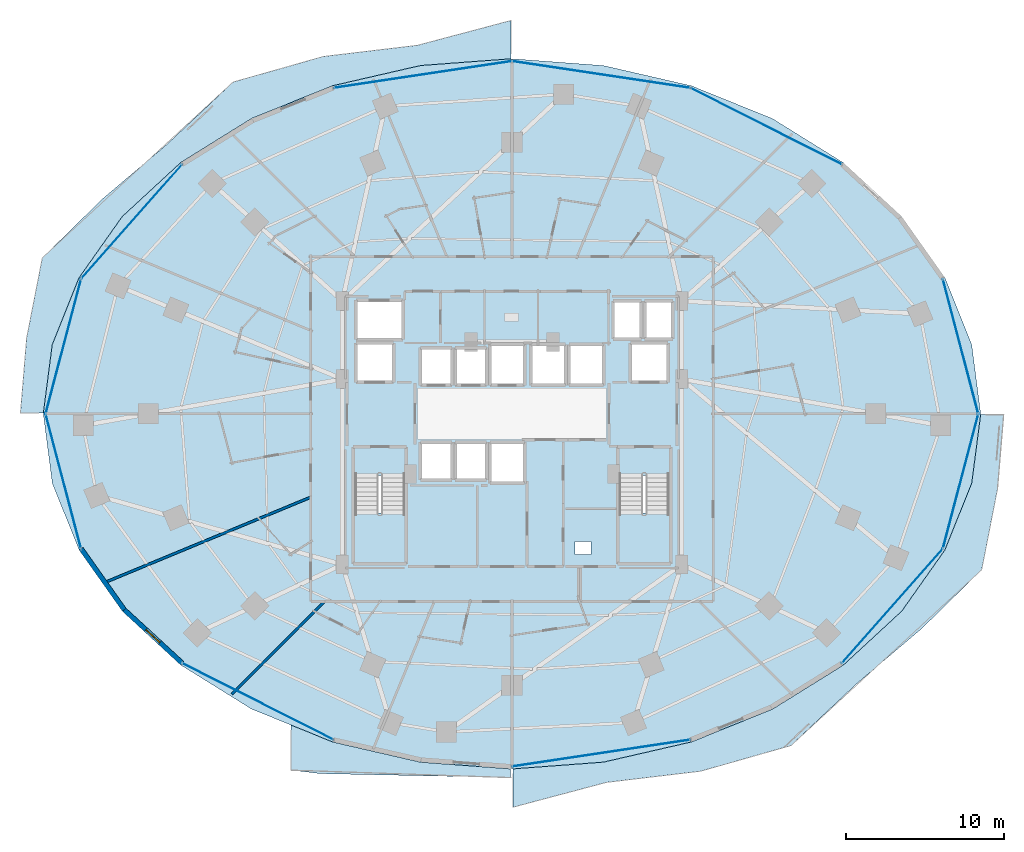
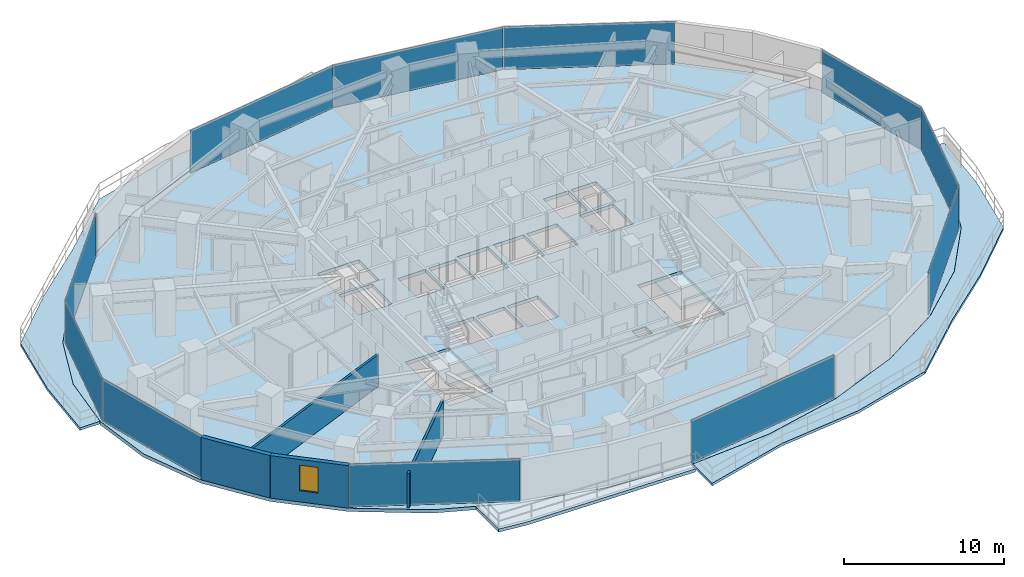
# One storey, part 26 of 36: 11 plates, 6 slabs, 4 walls, 1 window, 1 opening, 7 elements without a shape of their own.
"""IFC4 building model written with IfcOpenShell, lengths in metres."""

import ifcopenshell
import ifcopenshell.guid

model = None  # the IFC model being written
_history = None  # IfcOwnerHistory: only IFC2X3 demands one
_inside = {}  # id of a spatial element -> (the spatial element, [elements in it])
_under = {}  # id of a project, library or spatial element -> (it, [spatial elements below it])
_declared = {}  # id of a project -> (the project, [libraries it declares])
_typed = {}  # id of a type object -> (the type object, [elements of that type])
_made_of = {}  # id of a material, layer set ... -> (it, [elements and type objects made of it])


def new_model(schema):
    """Start an empty IFC model of exactly this schema.

    Asked for "IFC4X3", IfcOpenShell would pick the latest addendum, in which some entities
    have other attributes; the version numbers below select the first issue.
    IFC2X3 requires an IfcOwnerHistory on every rooted entity: one is made here for all.
    """
    global model, _history
    if schema == "IFC4X3":
        model = ifcopenshell.file(schema_version=(4, 3, 0, 0))
    else:
        model = ifcopenshell.file(schema=schema)
    _inside.clear()
    _under.clear()
    _declared.clear()
    _typed.clear()
    _made_of.clear()
    _history = None
    if model.schema == "IFC2X3":
        org = make("IfcOrganization", Name="unknown")
        user = make(
            "IfcPersonAndOrganization",
            ThePerson=make("IfcPerson", FamilyName="unknown"),
            TheOrganization=org,
        )
        app = make(
            "IfcApplication",
            ApplicationDeveloper=org,
            Version="unknown",
            ApplicationFullName="unknown",
            ApplicationIdentifier="unknown",
        )
        _history = make(
            "IfcOwnerHistory",
            OwningUser=user,
            OwningApplication=app,
            ChangeAction="ADDED",
            CreationDate=0,
        )
    return model


def make(cls, **values):
    """One entity of the class cls with the attributes given. An attribute that is None is left unset."""
    return model.create_entity(
        cls, **{name: value for name, value in values.items() if value is not None}
    )


def rooted(cls, **values):
    """An entity with a GlobalId (a new one), such as an element, a storey or a relation."""
    return make(cls, GlobalId=ifcopenshell.guid.new(), OwnerHistory=_history, **values)


def si_unit(unit_type, name, prefix=None):
    """IfcSIUnit, for example si_unit("LENGTHUNIT", "METRE", prefix="MILLI")."""
    return make("IfcSIUnit", UnitType=unit_type, Prefix=prefix, Name=name)


def assignment(units):
    """IfcUnitAssignment: the units of a project."""
    return None if units is None else make("IfcUnitAssignment", Units=units)


def point(xyz):
    """IfcCartesianPoint."""
    return None if xyz is None else make("IfcCartesianPoint", Coordinates=xyz)


def direction(xyz):
    """IfcDirection."""
    return None if xyz is None else make("IfcDirection", DirectionRatios=xyz)


def frame(location, z_axis=None, x_axis=None):
    """IfcAxis2Placement3D, a coordinate frame: its origin and axes. An axis left out is left unset."""
    return make(
        "IfcAxis2Placement3D",
        Location=point(location),
        Axis=direction(z_axis),
        RefDirection=direction(x_axis),
    )


def frame_2d(location, x_axis=None):
    """IfcAxis2Placement2D, a coordinate frame in the plane: its origin and x axis."""
    return make(
        "IfcAxis2Placement2D", Location=point(location), RefDirection=direction(x_axis)
    )


def origin():
    """The frame at (0, 0, 0) with its axes left unset."""
    return frame((0.0, 0.0, 0.0))


def origin_2d():
    """The frame at (0, 0) in the plane with its x axis left unset."""
    return frame_2d((0.0, 0.0))


def place(relative_to, where):
    """IfcLocalPlacement: puts the frame where relative to a parent placement (None: the world)."""
    return make(
        "IfcLocalPlacement", PlacementRelTo=relative_to, RelativePlacement=where
    )


def context(
    kind, dimensions, precision=None, world=None, true_north=None, identifier=None
):
    """IfcGeometricRepresentationContext, for example the 3D "Model" context."""
    return make(
        "IfcGeometricRepresentationContext",
        ContextIdentifier=identifier,
        ContextType=kind,
        CoordinateSpaceDimension=dimensions,
        Precision=precision,
        WorldCoordinateSystem=world,
        TrueNorth=true_north,
    )


def subcontext(parent, identifier, kind, view, scale=None):
    """IfcGeometricRepresentationSubContext, for example "Body" below "Model"."""
    return make(
        "IfcGeometricRepresentationSubContext",
        ContextIdentifier=identifier,
        ContextType=kind,
        ParentContext=parent,
        TargetScale=scale,
        TargetView=view,
    )


def project(units=None, contexts=None):
    """IfcProject with its units and contexts."""
    return rooted(
        "IfcProject",
        Name="project",
        RepresentationContexts=contexts,
        UnitsInContext=assignment(units),
    )


def spatial(cls, under=None, at=None, **own):
    """A site, building, storey or space (cls), placed at a placement, below another one or the project."""
    s = rooted(cls, ObjectPlacement=at, **own)
    if under is not None:
        _under.setdefault(under.id(), (under, []))[1].append(s)
    return s


def polyline(points):
    """IfcPolyline through the points."""
    return make("IfcPolyline", Points=[point(p) for p in points])


def profile(cls, at=None, kind="AREA", **sizes):
    """A parametric profile (cls). Its sizes go by their IFC names, for example OverallWidth=200.0."""
    return make(cls, ProfileType=kind, Position=at, **sizes)


def rectangle(**sizes):
    """IfcRectangleProfileDef."""
    return profile("IfcRectangleProfileDef", **sizes)


def outline(outer, holes=None, kind="AREA"):
    """IfcArbitraryClosedProfileDef: a profile drawn as a closed curve; with holes, ...WithVoids."""
    if holes is None:
        return make("IfcArbitraryClosedProfileDef", ProfileType=kind, OuterCurve=outer)
    return make(
        "IfcArbitraryProfileDefWithVoids",
        ProfileType=kind,
        OuterCurve=outer,
        InnerCurves=holes,
    )


def extrude(swept, where, along, depth):
    """IfcExtrudedAreaSolid: the profile swept, set in the frame where, extruded along a direction by depth."""
    return make(
        "IfcExtrudedAreaSolid",
        SweptArea=swept,
        Position=where,
        ExtrudedDirection=direction(along),
        Depth=depth,
    )


def shape(context_of_items, identifier, shape_type, items):
    """IfcShapeRepresentation: the items that make up one representation, for example the "Body"."""
    return make(
        "IfcShapeRepresentation",
        ContextOfItems=context_of_items,
        RepresentationIdentifier=identifier,
        RepresentationType=shape_type,
        Items=items,
    )


def material(Name=None, Category=None):
    """IfcMaterial."""
    return make("IfcMaterial", Name=Name, Category=Category)


def layer(
    of_material, thickness, ventilated=None, Name=None, Category=None, Priority=None
):
    """IfcMaterialLayer: one layer of a wall or slab, of a material (None: an air gap)."""
    return make(
        "IfcMaterialLayer",
        Material=of_material,
        LayerThickness=thickness,
        IsVentilated=ventilated,
        Name=Name,
        Category=Category,
        Priority=Priority,
    )


def layer_set(layers, Name=None):
    """IfcMaterialLayerSet."""
    return make("IfcMaterialLayerSet", MaterialLayers=layers, LayerSetName=Name)


def made_of(thing, what):
    """Note that an element or type object is made of a material, layer set ...; save() writes the relation."""
    if what is not None:
        _made_of.setdefault(what.id(), (what, []))[1].append(thing)
    return thing


def type_object(cls, material=None, **own):
    """A type object (cls), such as IfcWallType, which elements share."""
    return made_of(rooted(cls, **own), material)


def element(
    cls,
    number,
    at=None,
    inside=None,
    cuts=None,
    type_object=None,
    material=None,
    context=None,
    identifier="Body",
    shape_type=None,
    held_by="IfcProductDefinitionShape",
    body=None,
    shapes=None,
    **own,
):
    """One element of the class cls, such as IfcWall. Its Tag is "e" and its number.

    at: its placement. inside: the storey or other place that contains it. cuts: it is an
    opening in that element (IfcRelVoidsElement). A single representation is given by context,
    identifier, shape_type and body (its items); several are given by shapes. held_by: the class
    of the entity that holds the representations. save() writes the other relations.
    """
    e = rooted(cls, Tag="e%d" % number, ObjectPlacement=at, **own)
    if body is not None:
        shapes = [shape(context, identifier, shape_type, body)]
    if shapes is not None:
        e.Representation = make(held_by, Representations=shapes)
    if inside is not None:
        _inside.setdefault(inside.id(), (inside, []))[1].append(e)
    if cuts is not None:
        rooted(
            "IfcRelVoidsElement", RelatingBuildingElement=cuts, RelatedOpeningElement=e
        )
    if type_object is not None:
        _typed.setdefault(type_object.id(), (type_object, []))[1].append(e)
    return made_of(e, material)


def fill(opening, filler):
    """IfcRelFillsElement: the door or window that sits in an opening."""
    return rooted(
        "IfcRelFillsElement",
        RelatingOpeningElement=opening,
        RelatedBuildingElement=filler,
    )


def aggregate(whole, parts):
    """IfcRelAggregates: a whole, such as a stair, and the parts it consists of."""
    return rooted("IfcRelAggregates", RelatingObject=whole, RelatedObjects=parts)


def save(model, path):
    """Write the relations noted so far, then the file.

    IfcRelAggregates (storeys below a building ...), IfcRelContainedInSpatialStructure (elements
    in a storey), IfcRelDefinesByType, IfcRelAssociatesMaterial and IfcRelDeclares: one each for
    every whole, place, type object, material and project.
    """
    for whole, parts in _under.values():
        aggregate(whole, parts)
    for where, things in _inside.values():
        rooted(
            "IfcRelContainedInSpatialStructure",
            RelatedElements=things,
            RelatingStructure=where,
        )
    for kind, things in _typed.values():
        rooted("IfcRelDefinesByType", RelatedObjects=things, RelatingType=kind)
    for what, things in _made_of.values():
        rooted("IfcRelAssociatesMaterial", RelatedObjects=things, RelatingMaterial=what)
    for by, libraries in _declared.values():
        rooted("IfcRelDeclares", RelatingContext=by, RelatedDefinitions=libraries)
    model.write(path)


model = new_model("IFC4")

# Units and contexts
model_context = context("Model", 3, precision=1e-05, world=origin(), true_north=direction((0.0, 1.0)))
body_context = subcontext(model_context, "Body", "Model", "MODEL_VIEW")
ifc_project = project(units=[si_unit("LENGTHUNIT", "METRE"), si_unit("AREAUNIT", "SQUARE_METRE"), si_unit("VOLUMEUNIT", "CUBIC_METRE"), si_unit("PLANEANGLEUNIT", "RADIAN"), si_unit("MASSUNIT", "GRAM", prefix="KILO")], contexts=[model_context])

# Site, building, storey
site_placement = place(None, origin())
site = spatial("IfcSite", under=ifc_project, at=site_placement, CompositionType="ELEMENT")
building_placement = place(site_placement, origin())
building = spatial("IfcBuilding", under=site, at=building_placement, Name="Vorneva Point Tower", CompositionType="ELEMENT")
storey_placement = place(building_placement, frame((0.0, 0.0, 24.0)))
storey = spatial("IfcBuildingStorey", under=building, at=storey_placement, Name="L05", CompositionType="ELEMENT", Elevation=24.0)

# Curtain wall, plates
ifc_material_1 = material(Name="Pale anodised aluminium", Category="aluminium")
curtain_wall_type = type_object("IfcCurtainWallType", Name="CW-HTL-SYS", PredefinedType="NOTDEFINED", material=ifc_material_1)
curtain_wall_1_placement = place(storey_placement, origin())
curtain_wall_1 = element("IfcCurtainWall", 1, at=curtain_wall_1_placement, inside=storey, type_object=curtain_wall_type, Name="L05 Unitised Curtain Wall CW-L05-R01", PredefinedType="NOTDEFINED")
ifc_material_2 = material(Name="Double low-e laminated glass IGU", Category="glass")
ifc_layer_1 = layer(ifc_material_2, 0.035888671875)
ifc_layer_set_1 = layer_set([ifc_layer_1], Name="Double low-e laminated glass IGU")
plate_type = type_object("IfcPlateType", Name="CW-PNL-VIS", PredefinedType="CURTAIN_PANEL", material=ifc_layer_set_1)
plate_1_placement = place(storey_placement, frame((62.097900390625, 13.821533203125, -0.02001953125), z_axis=(0.0, 0.0, 1.0), x_axis=(0.662070857019, 0.749441245386, 0.0)))
plate_1 = element("IfcPlate", 2, at=plate_1_placement, type_object=plate_type, Name="CW-L05-R01 Glazed Panel 01", PredefinedType="CURTAIN_PANEL", context=body_context, shape_type="SweptSolid", body=[
    extrude(rectangle(XDim=9.625, YDim=0.035888671875, at=origin_2d()), origin(), (0.0, 0.0, 1.0), 3.280029296875),
])
plate_2_placement = place(storey_placement, frame((66.42529296875, 21.723388671875, -0.02001953125), z_axis=(0.0, 0.0, 1.0), x_axis=(0.254348767449, 0.967112560407, 0.0)))
plate_2 = element("IfcPlate", 3, at=plate_2_placement, type_object=plate_type, Name="CW-L05-R01 Glazed Panel 02", PredefinedType="CURTAIN_PANEL", context=body_context, shape_type="SweptSolid", body=[
    extrude(rectangle(XDim=8.793701171875, YDim=0.035888671875, at=origin_2d()), origin(), (0.0, 0.0, 1.0), 3.280029296875),
])
plate_3_placement = place(storey_placement, frame((66.42529296875, 30.276611328125, -0.02001953125), z_axis=(0.0, 0.0, 1.0), x_axis=(-0.254348767449, 0.967112560407, 0.0)))
plate_3 = element("IfcPlate", 4, at=plate_3_placement, type_object=plate_type, Name="CW-L05-R01 Glazed Panel 03", PredefinedType="CURTAIN_PANEL", context=body_context, shape_type="SweptSolid", body=[
    extrude(rectangle(XDim=8.793701171875, YDim=0.035888671875, at=origin_2d()), origin(), (0.0, 0.0, 1.0), 3.280029296875),
])
aggregate(curtain_wall_1, [plate_1, plate_2, plate_3])

curtain_wall_2_placement = place(storey_placement, origin())
curtain_wall_2 = element("IfcCurtainWall", 5, at=curtain_wall_2_placement, inside=storey, type_object=curtain_wall_type, Name="L05 Unitised Curtain Wall CW-L05-R02", PredefinedType="NOTDEFINED")
plate_4_placement = place(storey_placement, frame((54.101806640625, 44.226318359375, -0.02001953125), z_axis=(0.0, 0.0, 1.0), x_axis=(-0.892499239729, 0.451048896554, 0.0)))
plate_4 = element("IfcPlate", 6, at=plate_4_placement, type_object=plate_type, Name="CW-L05-R02 Glazed Panel 01", PredefinedType="CURTAIN_PANEL", context=body_context, shape_type="SweptSolid", body=[
    extrude(rectangle(XDim=10.69140625, YDim=0.035888671875, at=origin_2d()), origin(), (0.0, 0.0, 1.0), 3.280029296875),
])
plate_5_placement = place(storey_placement, frame((43.654296875, 47.499267578125, -0.02001953125), z_axis=(0.0, 0.0, 1.0), x_axis=(-0.988870924381, 0.148775989034, 0.0)))
plate_5 = element("IfcPlate", 7, at=plate_5_placement, type_object=plate_type, Name="CW-L05-R02 Glazed Panel 02", PredefinedType="CURTAIN_PANEL", context=body_context, shape_type="SweptSolid", body=[
    extrude(rectangle(XDim=11.385498046875, YDim=0.035888671875, at=origin_2d()), origin(), (0.0, 0.0, 1.0), 3.280029296875),
])
plate_6_placement = place(storey_placement, frame((32.345703125, 47.499267578125, -0.02001953125), z_axis=(0.0, 0.0, 1.0), x_axis=(-0.988870924381, -0.148775989034, 0.0)))
plate_6 = element("IfcPlate", 8, at=plate_6_placement, type_object=plate_type, Name="CW-L05-R02 Glazed Panel 03", PredefinedType="CURTAIN_PANEL", context=body_context, shape_type="SweptSolid", body=[
    extrude(rectangle(XDim=11.385498046875, YDim=0.035888671875, at=origin_2d()), origin(), (0.0, 0.0, 1.0), 3.280029296875),
])
aggregate(curtain_wall_2, [plate_4, plate_5, plate_6])

curtain_wall_3_placement = place(storey_placement, origin())
curtain_wall_3 = element("IfcCurtainWall", 9, at=curtain_wall_3_placement, inside=storey, type_object=curtain_wall_type, Name="L05 Unitised Curtain Wall CW-L05-R03", PredefinedType="NOTDEFINED")
plate_7_placement = place(storey_placement, frame((13.902099609375, 38.178466796875, -0.02001953125), z_axis=(0.0, 0.0, 1.0), x_axis=(-0.662070857019, -0.749441245386, 0.0)))
plate_7 = element("IfcPlate", 10, at=plate_7_placement, type_object=plate_type, Name="CW-L05-R03 Glazed Panel 01", PredefinedType="CURTAIN_PANEL", context=body_context, shape_type="SweptSolid", body=[
    extrude(rectangle(XDim=9.625, YDim=0.035888671875, at=origin_2d()), origin(), (0.0, 0.0, 1.0), 3.280029296875),
])
plate_8_placement = place(storey_placement, frame((9.57470703125, 30.276611328125, -0.02001953125), z_axis=(0.0, 0.0, 1.0), x_axis=(-0.254348767449, -0.967112560407, 0.0)))
plate_8 = element("IfcPlate", 11, at=plate_8_placement, type_object=plate_type, Name="CW-L05-R03 Glazed Panel 02", PredefinedType="CURTAIN_PANEL", context=body_context, shape_type="SweptSolid", body=[
    extrude(rectangle(XDim=8.793701171875, YDim=0.035888671875, at=origin_2d()), origin(), (0.0, 0.0, 1.0), 3.280029296875),
])
plate_9_placement = place(storey_placement, frame((9.57470703125, 21.723388671875, -0.02001953125), z_axis=(0.0, 0.0, 1.0), x_axis=(0.254348767449, -0.967112560407, 0.0)))
plate_9 = element("IfcPlate", 12, at=plate_9_placement, type_object=plate_type, Name="CW-L05-R03 Glazed Panel 03", PredefinedType="CURTAIN_PANEL", context=body_context, shape_type="SweptSolid", body=[
    extrude(rectangle(XDim=8.793701171875, YDim=0.035888671875, at=origin_2d()), origin(), (0.0, 0.0, 1.0), 3.280029296875),
])
aggregate(curtain_wall_3, [plate_7, plate_8, plate_9])

# Curtain wall, plate
curtain_wall_4_placement = place(storey_placement, origin())
curtain_wall_4 = element("IfcCurtainWall", 13, at=curtain_wall_4_placement, inside=storey, type_object=curtain_wall_type, Name="L05 Unitised Curtain Wall CW-L05-R04", PredefinedType="NOTDEFINED")
plate_10_placement = place(storey_placement, frame((21.8984375, 7.773681640625, -0.02001953125), z_axis=(0.0, 0.0, 1.0), x_axis=(0.892499239729, -0.451048896554, 0.0)))
plate_10 = element("IfcPlate", 14, at=plate_10_placement, type_object=plate_type, Name="CW-L05-R04 Glazed Panel 01", PredefinedType="CURTAIN_PANEL", context=body_context, shape_type="SweptSolid", body=[
    extrude(rectangle(XDim=10.69140625, YDim=0.035888671875, at=origin_2d()), origin(), (0.0, 0.0, 1.0), 3.280029296875),
])
aggregate(curtain_wall_4, [plate_10])

curtain_wall_5_placement = place(storey_placement, origin())
curtain_wall_5 = element("IfcCurtainWall", 15, at=curtain_wall_5_placement, inside=storey, type_object=curtain_wall_type, Name="L05 Unitised Curtain Wall CW-L05-R05", PredefinedType="NOTDEFINED")
plate_11_placement = place(storey_placement, frame((43.654296875, 4.500732421875, -0.02001953125), z_axis=(0.0, 0.0, 1.0), x_axis=(0.988870924381, 0.148775989034, 0.0)))
plate_11 = element("IfcPlate", 16, at=plate_11_placement, type_object=plate_type, Name="CW-L05-R05 Glazed Panel 01", PredefinedType="CURTAIN_PANEL", context=body_context, shape_type="SweptSolid", body=[
    extrude(rectangle(XDim=11.385498046875, YDim=0.035888671875, at=origin_2d()), origin(), (0.0, 0.0, 1.0), 3.280029296875),
])
aggregate(curtain_wall_5, [plate_11])

# Slabs
ifc_material_3 = material(Name="Concrete B50 (C40/50)", Category="concrete")
ifc_layer_2 = layer(ifc_material_3, 0.199951171875)
ifc_layer_set_2 = layer_set([ifc_layer_2], Name="Concrete B50 (C40/50)")
slab_type_1 = type_object("IfcSlabType", Name="SLB-BAL-200", PredefinedType="FLOOR", material=ifc_layer_set_2)
slab_1_placement = place(storey_placement, frame((0.0, 0.0, -0.199951171875)))
element("IfcSlab", 17, at=slab_1_placement, inside=storey, type_object=slab_type_1, Name="L05 Cantilevered Wave Balcony NW", PredefinedType="FLOOR", context=body_context, shape_type="SweptSolid", body=[
    extrude(outline(polyline([(6.84912109375, 26.050048828125), (8.302490234375, 26.050048828125), (8.86669921875, 30.389892578125), (8.86669921875, 30.390380859375), (8.866943359375, 30.390625), (8.866943359375, 30.39111328125), (10.55712890625, 34.61181640625), (10.557373046875, 34.6123046875), (10.5576171875, 34.61279296875), (13.302001953125, 38.502685546875), (13.302490234375, 38.5029296875), (13.302734375, 38.503173828125), (16.99609375, 41.912841796875), (16.99658203125, 41.9130859375), (16.996826171875, 41.913330078125), (21.49755859375, 44.71142578125), (21.497802734375, 44.711669921875), (21.498046875, 44.7119140625), (26.6328125, 46.791015625), (26.633056640625, 46.791015625), (26.63330078125, 46.791259765625), (32.204833984375, 48.071533203125), (32.205078125, 48.07177734375), (32.20556640625, 48.07177734375), (37.949951171875, 48.500244140625), (37.949951171875, 50.931640625), (32.01171875, 49.3564453125), (26.050537109375, 48.647705078125), (20.326904296875, 47.02490234375), (16.120361328125, 43.069580078125), (12.043701171875, 39.613037109375), (8.235595703125, 35.881591796875), (7.24365234375, 30.816650390625), (6.84912109375, 26.050048828125)])), origin(), (0.0, 0.0, 1.0), 0.199951171875),
])
slab_2_placement = place(storey_placement, frame((0.0, 0.0, -0.199951171875)))
element("IfcSlab", 18, at=slab_2_placement, inside=storey, type_object=slab_type_1, Name="L05 Cantilevered Wave Balcony SE", PredefinedType="FLOOR", context=body_context, shape_type="SweptSolid", body=[
    extrude(outline(polyline([(68.75634765625, 21.183349609375), (69.15087890625, 25.949951171875), (67.697509765625, 25.949951171875), (67.13330078125, 21.610107421875), (67.13330078125, 21.609619140625), (67.133056640625, 21.609375), (67.133056640625, 21.60888671875), (65.44287109375, 17.38818359375), (65.442626953125, 17.3876953125), (65.4423828125, 17.38720703125), (62.697998046875, 13.497314453125), (62.697509765625, 13.4970703125), (62.697265625, 13.496826171875), (59.00390625, 10.087158203125), (59.00341796875, 10.0869140625), (59.003173828125, 10.086669921875), (54.50244140625, 7.28857421875), (54.502197265625, 7.288330078125), (54.501953125, 7.2880859375), (49.3671875, 5.208984375), (49.366943359375, 5.208984375), (49.36669921875, 5.208740234375), (43.795166015625, 3.928466796875), (43.794921875, 3.92822265625), (43.79443359375, 3.92822265625), (38.050048828125, 3.499755859375), (38.050048828125, 1.068359375), (43.98828125, 2.6435546875), (49.949462890625, 3.352294921875), (55.673095703125, 4.97509765625), (59.879638671875, 8.930419921875), (63.956298828125, 12.386962890625), (67.764404296875, 16.118408203125), (68.75634765625, 21.183349609375)])), origin(), (0.0, 0.0, 1.0), 0.199951171875),
])

# Stair, slab
stair_type = type_object("IfcStairType", Name="ST-DOG-1500", PredefinedType="HALF_TURN_STAIR", material=ifc_material_3)
stair_1_placement = place(storey_placement, origin())
stair_1 = element("IfcStair", 19, at=stair_1_placement, inside=storey, type_object=stair_type, Name="L05 ST1", PredefinedType="HALF_TURN_STAIR")
ifc_layer_3 = layer(ifc_material_3, 0.199951171875)
ifc_layer_set_3 = layer_set([ifc_layer_3], Name="Concrete B50 (C40/50)")
slab_type_2 = type_object("IfcSlabType", Name="SLB-LND-200", PredefinedType="LANDING", material=ifc_layer_set_3)
slab_3_placement = place(storey_placement, frame((0.0, 0.0, 1.550048828125)))
slab_3 = element("IfcSlab", 20, at=slab_3_placement, type_object=slab_type_2, Name="ST1 landing 1", PredefinedType="LANDING", context=body_context, shape_type="SweptSolid", body=[
    extrude(outline(polyline([(27.929931640625, 16.47998046875), (31.320068359375, 16.47998046875), (31.320068359375, 19.72998046875), (27.929931640625, 19.72998046875), (27.929931640625, 16.47998046875)])), origin(), (0.0, 0.0, 1.0), 0.199951171875),
])
aggregate(stair_1, [slab_3])

stair_2_placement = place(storey_placement, origin())
stair_2 = element("IfcStair", 21, at=stair_2_placement, inside=storey, type_object=stair_type, Name="L05 ST2", PredefinedType="HALF_TURN_STAIR")
slab_4_placement = place(storey_placement, frame((0.0, 0.0, 1.550048828125)))
slab_4 = element("IfcSlab", 22, at=slab_4_placement, type_object=slab_type_2, Name="ST2 landing 1", PredefinedType="LANDING", context=body_context, shape_type="SweptSolid", body=[
    extrude(outline(polyline([(44.679931640625, 16.47998046875), (48.070068359375, 16.47998046875), (48.070068359375, 19.72998046875), (44.679931640625, 19.72998046875), (44.679931640625, 16.47998046875)])), origin(), (0.0, 0.0, 1.0), 0.199951171875),
])
aggregate(stair_2, [slab_4])

# Slabs
ifc_layer_4 = layer(ifc_material_3, 0.239990234375)
ifc_layer_set_4 = layer_set([ifc_layer_4], Name="Concrete B50 (C40/50)")
slab_type_3 = type_object("IfcSlabType", Name="SLB-ROOF-240", PredefinedType="ROOF", material=ifc_layer_set_4)
slab_5_placement = place(storey_placement, frame((0.0, 0.0, -0.239990234375)))
element("IfcSlab", 23, at=slab_5_placement, inside=storey, type_object=slab_type_3, Name="L05 Stepped Podium Roof Terrace Slab", PredefinedType="ROOF", context=body_context, shape_type="SweptSolid", body=[
    extrude(outline(polyline([(37.919921875, 2.95263671875), (37.919921875, 3.501953125), (32.20556640625, 3.92822265625), (32.205078125, 3.92822265625), (32.204833984375, 3.928466796875), (26.63330078125, 5.208740234375), (26.633056640625, 5.208984375), (26.6328125, 5.208984375), (24.0, 6.275146484375), (24.0, 3.423095703125), (25.85595703125, 3.202392578125), (37.919921875, 2.95263671875)])), origin(), (0.0, 0.0, 1.0), 0.239990234375),
])
ifc_layer_5 = layer(ifc_material_3, 0.260009765625)
ifc_layer_set_5 = layer_set([ifc_layer_5], Name="Concrete B50 (C40/50)")
slab_type_4 = type_object("IfcSlabType", Name="SLB-TYP-260", PredefinedType="FLOOR", material=ifc_layer_set_5)
slab_6_placement = place(storey_placement, frame((0.0, 0.0, -0.260009765625)))
element("IfcSlab", 24, at=slab_6_placement, inside=storey, type_object=slab_type_4, Name="L05 Structural Floor Plate", PredefinedType="FLOOR", context=body_context, shape_type="SweptSolid", body=[
    extrude(outline(polyline([(67.699951171875, 26.0), (67.12939453125, 30.389404296875), (65.439208984375, 34.6103515625), (62.694580078125, 38.500244140625), (59.001220703125, 41.909912109375), (54.50048828125, 44.7080078125), (49.36572265625, 46.787353515625), (43.794189453125, 48.067626953125), (38.0, 48.5), (32.205810546875, 48.067626953125), (26.63427734375, 46.787353515625), (21.49951171875, 44.7080078125), (16.998779296875, 41.909912109375), (13.305419921875, 38.500244140625), (10.560791015625, 34.6103515625), (8.87060546875, 30.389404296875), (8.300048828125, 26.0), (8.87060546875, 21.610595703125), (10.560791015625, 17.3896484375), (13.305419921875, 13.499755859375), (16.998779296875, 10.090087890625), (21.49951171875, 7.2919921875), (26.63427734375, 5.212646484375), (32.205810546875, 3.932373046875), (38.0, 3.5), (43.794189453125, 3.932373046875), (49.36572265625, 5.212646484375), (54.50048828125, 7.2919921875), (59.001220703125, 10.090087890625), (62.694580078125, 13.499755859375), (65.439208984375, 17.3896484375), (67.12939453125, 21.610595703125), (67.699951171875, 26.0)]), holes=[polyline([(32.199951171875, 27.800048828125), (34.199951171875, 27.800048828125), (34.199951171875, 30.199951171875), (32.199951171875, 30.199951171875), (32.199951171875, 27.800048828125)]), polyline([(34.39990234375, 27.800048828125), (36.39990234375, 27.800048828125), (36.39990234375, 30.199951171875), (34.39990234375, 30.199951171875), (34.39990234375, 27.800048828125)]), polyline([(36.60009765625, 27.800048828125), (38.800048828125, 27.800048828125), (38.800048828125, 30.39990234375), (36.60009765625, 30.39990234375), (36.60009765625, 27.800048828125)]), polyline([(32.199951171875, 21.800048828125), (34.199951171875, 21.800048828125), (34.199951171875, 24.199951171875), (32.199951171875, 24.199951171875), (32.199951171875, 21.800048828125)]), polyline([(34.39990234375, 21.800048828125), (36.39990234375, 21.800048828125), (36.39990234375, 24.199951171875), (34.39990234375, 24.199951171875), (34.39990234375, 21.800048828125)]), polyline([(36.60009765625, 21.60009765625), (38.800048828125, 21.60009765625), (38.800048828125, 24.199951171875), (36.60009765625, 24.199951171875), (36.60009765625, 21.60009765625)]), polyline([(39.199951171875, 27.800048828125), (41.39990234375, 27.800048828125), (41.39990234375, 30.39990234375), (39.199951171875, 30.39990234375), (39.199951171875, 27.800048828125)]), polyline([(41.60009765625, 27.800048828125), (43.800048828125, 27.800048828125), (43.800048828125, 30.39990234375), (41.60009765625, 30.39990234375), (41.60009765625, 27.800048828125)]), polyline([(44.39990234375, 30.739990234375), (46.199951171875, 30.739990234375), (46.199951171875, 33.159912109375), (44.39990234375, 33.159912109375), (44.39990234375, 30.739990234375)]), polyline([(46.39990234375, 30.739990234375), (48.199951171875, 30.739990234375), (48.199951171875, 33.159912109375), (46.39990234375, 33.159912109375), (46.39990234375, 30.739990234375)]), polyline([(28.10009765625, 28.0), (30.5, 28.0), (30.5, 30.5), (28.10009765625, 30.5), (28.10009765625, 28.0)]), polyline([(45.5, 28.0), (47.89990234375, 28.0), (47.89990234375, 30.5), (45.5, 30.5), (45.5, 28.0)]), polyline([(28.10009765625, 30.699951171875), (31.10009765625, 30.699951171875), (31.10009765625, 33.199951171875), (28.10009765625, 33.199951171875), (28.10009765625, 30.699951171875)]), polyline([(28.050048828125, 16.60009765625), (31.199951171875, 16.60009765625), (31.199951171875, 22.080078125), (28.050048828125, 22.080078125), (28.050048828125, 16.60009765625)]), polyline([(44.800048828125, 16.60009765625), (47.949951171875, 16.60009765625), (47.949951171875, 22.080078125), (44.800048828125, 22.080078125), (44.800048828125, 16.60009765625)]), polyline([(42.0, 17.10009765625), (43.0, 17.10009765625), (43.0, 17.89990234375), (42.0, 17.89990234375), (42.0, 17.10009765625)])]), origin(), (0.0, 0.0, 1.0), 0.260009765625),
])

# Wall
ifc_material_4 = material(Name="Precast concrete B50 (C40/50)", Category="concrete")
ifc_layer_6 = layer(ifc_material_4, 0.300048828125)
ifc_layer_set_6 = layer_set([ifc_layer_6], Name="Precast concrete B50 (C40/50)")
wall_type_1 = type_object("IfcWallType", Name="WL-EXT-300", PredefinedType="STANDARD", material=ifc_layer_set_6)
wall_1_placement = place(storey_placement, frame((10.699462890625, 17.447021484375, 0.0), z_axis=(0.0, 0.0, 1.0), x_axis=(0.577130815624, -0.816651713803, 0.0)))
element("IfcWall", 25, at=wall_1_placement, inside=storey, type_object=wall_type_1, Name="L05 Pale-Metal Facade Spandrel Wall 10.1", PredefinedType="STANDARD", context=body_context, shape_type="SweptSolid", body=[
    extrude(rectangle(XDim=4.7314453125, YDim=0.300048828125, at=frame_2d((2.36572265625, 0.0))), origin(), (0.0, 0.0, 1.0), 3.239990234375),
])

# Wall, opening, window
wall_2_placement = place(storey_placement, frame((13.43017578125, 13.5830078125, 0.0), z_axis=(0.0, 0.0, 1.0), x_axis=(0.735342629635, -0.677695519419, 0.0)))
wall_2 = element("IfcWall", 26, at=wall_2_placement, inside=storey, type_object=wall_type_1, Name="L05 Pale-Metal Facade Spandrel Wall 10.2", PredefinedType="STANDARD", context=body_context, shape_type="SweptSolid", body=[
    extrude(rectangle(XDim=4.997314453125, YDim=0.300048828125, at=frame_2d((2.49853515625, 0.0))), origin(), (0.0, 0.0, 1.0), 3.239990234375),
])
opening_placement = place(wall_2_placement, frame((1.868896484375, 0.0, 0.85009765625)))
opening = element("IfcOpeningElement", 27, at=opening_placement, cuts=wall_2, Name="Opening W-04", PredefinedType="OPENING", context=body_context, shape_type="SweptSolid", body=[
    extrude(rectangle(XDim=1.199951171875, YDim=1.949951171875, at=frame_2d((0.60009765625, 0.97509765625))), frame((0.0, 0.1650390625, 0.0), z_axis=(0.0, -1.0, 0.0), x_axis=(1.0, 0.0, 0.0)), (0.0, 0.0, 1.0), 0.329833984375),
])
window_type = type_object("IfcWindowType", Name="WN-RES-1200", PartitioningType="SINGLE_PANEL", PredefinedType="WINDOW", material=ifc_material_2)
window_placement = place(opening_placement, origin())
window = element("IfcWindow", 28, at=window_placement, inside=storey, type_object=window_type, Name="L05 Dwelling Vision Window 02", OverallHeight=1.949951171875, OverallWidth=1.199951171875, PartitioningType="SINGLE_PANEL", PredefinedType="WINDOW", context=body_context, shape_type="SweptSolid", body=[
    extrude(rectangle(XDim=1.199951171875, YDim=1.949951171875, at=frame_2d((0.60009765625, 0.97509765625))), frame((0.0, 0.030029296875, 0.0), z_axis=(0.0, -1.0, 0.0), x_axis=(1.0, 0.0, 0.0)), (0.0, 0.0, 1.0), 0.06005859375),
])
fill(opening, window)

# Walls
ifc_material_5 = material(Name="Fire-rated acoustic gypsum stud partition", Category="gypsum")
ifc_layer_7 = layer(ifc_material_5, 0.159912109375)
ifc_layer_set_7 = layer_set([ifc_layer_7], Name="Fire-rated acoustic gypsum stud partition")
wall_type_2 = type_object("IfcWallType", Name="WL-PART-160", PredefinedType="PARTITIONING", material=ifc_layer_set_7)
wall_3_placement = place(storey_placement, frame((12.20703125, 15.31591796875, 0.0), z_axis=(0.0, 0.0, 1.0), x_axis=(0.923866969846, 0.382713759914, 0.0)))
element("IfcWall", 29, at=wall_3_placement, inside=storey, type_object=wall_type_2, Name="L05 Interior Partition 095", PredefinedType="PARTITIONING", context=body_context, shape_type="SweptSolid", body=[
    extrude(rectangle(XDim=14.117919921875, YDim=0.159912109375, at=frame_2d((7.05908203125, 0.0))), origin(), (0.0, 0.0, 1.0), 2.431884765625),
])
wall_4_placement = place(storey_placement, frame((20.2470703125, 8.2470703125, 0.0), z_axis=(0.0, 0.0, 1.0), x_axis=(0.707106781187, 0.707106781187, 0.0)))
element("IfcWall", 30, at=wall_4_placement, inside=storey, type_object=wall_type_2, Name="L05 Interior Partition 098", PredefinedType="PARTITIONING", context=body_context, shape_type="SweptSolid", body=[
    extrude(rectangle(XDim=8.27734375, YDim=0.159912109375, at=frame_2d((4.138671875, 0.0))), origin(), (0.0, 0.0, 1.0), 2.6240234375),
])

save(model, "model.ifc")
